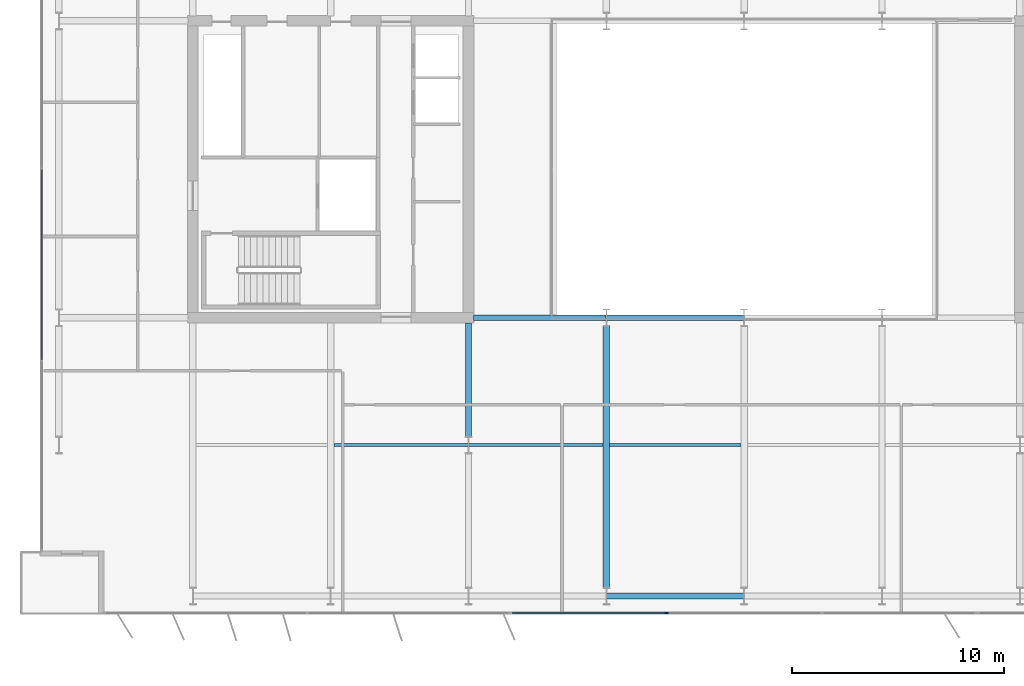
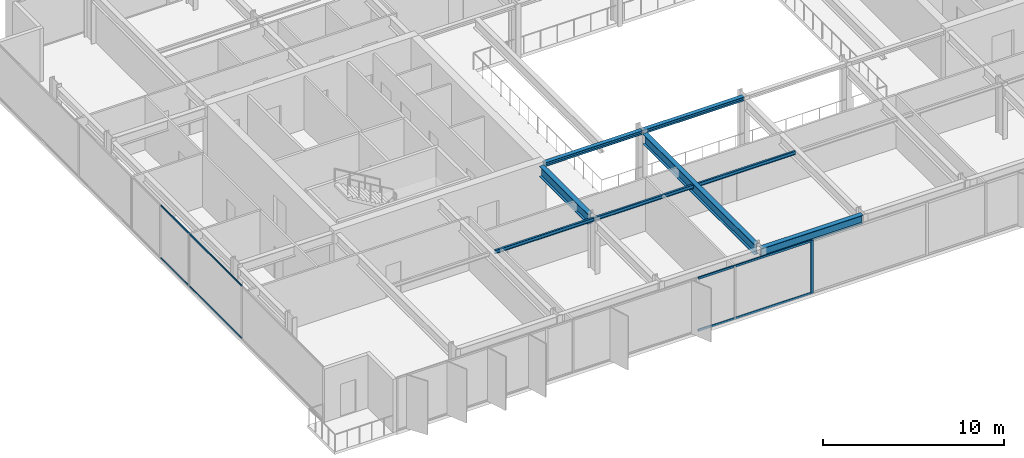
# One storey, part 4 of 23: 8 beams, 5 members, 2 elements without a shape of their own.
"""IFC4 building model written with IfcOpenShell, lengths in metres."""

from ifc_helpers import new_model, si_unit, direction, frame, origin, origin_2d, place, context, subcontext, project, spatial, rectangle, i_section, extrude, material, layer, layer_set, material_profile, profile_set, type_object, element, aggregate, save


model = new_model("IFC4")

# Units and contexts
model_context = context("Model", 3, precision=1e-05, world=origin(), true_north=direction((0.0, 1.0)))
body_context = subcontext(model_context, "Body", "Model", "MODEL_VIEW")
ifc_project = project(units=[si_unit("LENGTHUNIT", "METRE"), si_unit("AREAUNIT", "SQUARE_METRE"), si_unit("VOLUMEUNIT", "CUBIC_METRE"), si_unit("PLANEANGLEUNIT", "RADIAN"), si_unit("MASSUNIT", "GRAM", prefix="KILO")], contexts=[model_context])

# Site, building, storey
site_placement = place(None, origin())
site = spatial("IfcSite", under=ifc_project, at=site_placement, CompositionType="ELEMENT")
building_placement = place(site_placement, origin())
building = spatial("IfcBuilding", under=site, at=building_placement, Name="Putna Gate Headquarters", CompositionType="ELEMENT")
storey_placement = place(building_placement, frame((0.0, 0.0, 225.199951171875)))
storey = spatial("IfcBuildingStorey", under=building, at=storey_placement, Name="L56", CompositionType="ELEMENT", Elevation=225.199951171875)

# Beams
ifc_material_1 = material(Name="Steel S355J2", Category="steel")
ifc_material_profile_1 = material_profile(ifc_material_1, i_section(OverallWidth=0.260009765625, OverallDepth=0.260009765625, WebThickness=0.010009765625, FlangeThickness=0.017578125, at=origin_2d()), Name="Steel S355J2")
ifc_profile_set_1 = profile_set([ifc_material_profile_1], Name="Steel S355J2")
beam_type_1 = type_object("IfcBeamType", Name="BM-ATRIUM-HEB260", PredefinedType="BEAM", material=ifc_profile_set_1)
beam_1_placement = place(storey_placement, frame((26.235107421875, 19.0, 3.449951171875), z_axis=(1.0, 0.0, 0.0), x_axis=(0.0, 1.0, 0.0)))
element("IfcBeam", 1, at=beam_1_placement, inside=storey, type_object=beam_type_1, Name="L56 Atrium Edge Beam AS1", PredefinedType="BEAM", context=body_context, shape_type="SweptSolid", body=[
    extrude(i_section(OverallWidth=0.260009765625, OverallDepth=0.260009765625, WebThickness=0.010009765625, FlangeThickness=0.017578125, at=origin_2d()), origin(), (0.0, 0.0, 1.0), 6.2587890625),
])
beam_2_placement = place(storey_placement, frame((32.506103515625, 19.0, 3.449951171875), z_axis=(1.0, 0.0, 0.0), x_axis=(0.0, 1.0, 0.0)))
element("IfcBeam", 2, at=beam_2_placement, inside=storey, type_object=beam_type_1, Name="L56 Atrium Edge Beam AS2", PredefinedType="BEAM", context=body_context, shape_type="SweptSolid", body=[
    extrude(i_section(OverallWidth=0.260009765625, OverallDepth=0.260009765625, WebThickness=0.010009765625, FlangeThickness=0.017578125, at=origin_2d()), origin(), (0.0, 0.0, 1.0), 6.48779296875),
])
ifc_material_profile_2 = material_profile(ifc_material_1, i_section(OverallWidth=0.300048828125, OverallDepth=0.699951171875, WebThickness=0.01708984375, FlangeThickness=0.031982421875, at=origin_2d()), Name="Steel S355J2")
ifc_profile_set_2 = profile_set([ifc_material_profile_2], Name="Steel S355J2")
beam_type_2 = type_object("IfcBeamType", Name="BM-GIRD-B-HEB700", PredefinedType="USERDEFINED", material=ifc_profile_set_2)
beam_3_placement = place(storey_placement, frame((26.0, 13.39501953125, 3.22998046875), z_axis=(0.0, 1.0, 0.0), x_axis=(-1.0, 0.0, 0.0)))
element("IfcBeam", 3, at=beam_3_placement, inside=storey, type_object=beam_type_2, Name="L56 South Primary Girder X26-2", ObjectType="GIRDER", PredefinedType="USERDEFINED", context=body_context, shape_type="SweptSolid", body=[
    extrude(i_section(OverallWidth=0.300048828125, OverallDepth=0.699951171875, WebThickness=0.01708984375, FlangeThickness=0.031982421875, at=origin_2d()), origin(), (0.0, 0.0, 1.0), 5.369873046875),
])
beam_4_placement = place(storey_placement, frame((32.5, 6.27490234375, 3.22998046875), z_axis=(0.0, 1.0, 0.0), x_axis=(-1.0, 0.0, 0.0)))
element("IfcBeam", 4, at=beam_4_placement, inside=storey, type_object=beam_type_2, Name="L56 South Primary Girder X32", ObjectType="GIRDER", PredefinedType="USERDEFINED", context=body_context, shape_type="SweptSolid", body=[
    extrude(i_section(OverallWidth=0.300048828125, OverallDepth=0.699951171875, WebThickness=0.01708984375, FlangeThickness=0.031982421875, at=origin_2d()), origin(), (0.0, 0.0, 1.0), 12.330078125),
])
ifc_material_profile_3 = material_profile(ifc_material_1, i_section(OverallWidth=0.1201171875, OverallDepth=0.239990234375, WebThickness=0.006103515625, FlangeThickness=0.009765625, at=origin_2d()), Name="Steel S355J2")
ifc_profile_set_3 = profile_set([ifc_material_profile_3], Name="Steel S355J2")
beam_type_3 = type_object("IfcBeamType", Name="BM-SEC-Z4-IPE240", PredefinedType="JOIST", material=ifc_profile_set_3)
for number, where, z_axis, x_axis, name in (
    (5, (19.654052734375, 13.0, 3.4599609375), (1.0, 0.0, 0.0), (0.0, 1.0, 0.0), "L56 South Secondary Beam 2"),
    (6, (26.006103515625, 13.0, 3.4599609375), (1.0, 0.0, 0.0), (0.0, 1.0, 0.0), "L56 South Secondary Beam 3"),
):
    element("IfcBeam", number, at=place(storey_placement, frame(where, z_axis=z_axis, x_axis=x_axis)), inside=storey, type_object=beam_type_3, Name=name, PredefinedType="JOIST", context=body_context, shape_type="SweptSolid", body=[
        extrude(i_section(OverallWidth=0.1201171875, OverallDepth=0.239990234375, WebThickness=0.006103515625, FlangeThickness=0.009765625, at=origin_2d()), origin(), (0.0, 0.0, 1.0), 6.33984375),
    ])
beam_5_placement = place(storey_placement, frame((32.654052734375, 13.0, 3.4599609375), z_axis=(1.0, 0.0, 0.0), x_axis=(0.0, 1.0, 0.0)))
element("IfcBeam", 7, at=beam_5_placement, inside=storey, type_object=beam_type_3, Name="L56 South Secondary Beam 4", PredefinedType="JOIST", context=body_context, shape_type="SweptSolid", body=[
    extrude(i_section(OverallWidth=0.1201171875, OverallDepth=0.239990234375, WebThickness=0.006103515625, FlangeThickness=0.009765625, at=origin_2d()), origin(), (0.0, 0.0, 1.0), 6.19189453125),
])
ifc_material_profile_4 = material_profile(ifc_material_1, i_section(OverallWidth=0.300048828125, OverallDepth=0.590087890625, WebThickness=0.012939453125, FlangeThickness=0.02490234375, at=origin_2d()), Name="Steel S355J2")
ifc_profile_set_4 = profile_set([ifc_material_profile_4], Name="Steel S355J2")
beam_type_4 = type_object("IfcBeamType", Name="BM-SPAN-Z4-HEA600", PredefinedType="SPANDREL", material=ifc_profile_set_4)
beam_6_placement = place(storey_placement, frame((32.506103515625, 5.8798828125, 3.28515625), z_axis=(1.0, 0.0, 0.0), x_axis=(0.0, 1.0, 0.0)))
element("IfcBeam", 8, at=beam_6_placement, inside=storey, type_object=beam_type_4, Name="L56 S Perimeter Spandrel 4", PredefinedType="SPANDREL", context=body_context, shape_type="SweptSolid", body=[
    extrude(i_section(OverallWidth=0.300048828125, OverallDepth=0.590087890625, WebThickness=0.012939453125, FlangeThickness=0.02490234375, at=origin_2d()), origin(), (0.0, 0.0, 1.0), 6.48779296875),
])

# Curtain wall, member
ifc_material_2 = material(Name="Anodised bronze aluminium curtain wall", Category="aluminium")
ifc_layer_1 = layer(ifc_material_2, 0.179931640625)
ifc_layer_set_1 = layer_set([ifc_layer_1], Name="Anodised bronze aluminium curtain wall")
curtain_wall_type_1 = type_object("IfcCurtainWallType", Name="CW-SYS-ATR", PredefinedType="USERDEFINED", material=ifc_layer_set_1)
curtain_wall_1_placement = place(storey_placement, origin())
curtain_wall_1 = element("IfcCurtainWall", 9, at=curtain_wall_1_placement, inside=storey, type_object=curtain_wall_type_1, Name="L56 South Atrium Clear Glazing", ObjectType="ATRIUM GLAZING", PredefinedType="USERDEFINED")
ifc_material_3 = material(Name="Anodised bronze aluminium EN AW-6060", Category="aluminium")
ifc_material_profile_5 = material_profile(ifc_material_3, rectangle(XDim=0.070068359375, YDim=0.179931640625, at=origin_2d()), Name="Anodised bronze aluminium EN AW-6060")
ifc_profile_set_5 = profile_set([ifc_material_profile_5], Name="Anodised bronze aluminium EN AW-6060")
member_type_1 = type_object("IfcMemberType", Name="MULL-CWM-AT", PredefinedType="MULLION", material=ifc_profile_set_5)
member_1_placement = place(storey_placement, frame((35.333251953125, 5.080078125, 0.0), z_axis=(0.0, 0.0, 1.0), x_axis=(0.0, 1.0, 0.0)))
member_1 = element("IfcMember", 10, at=member_1_placement, type_object=member_type_1, Name="CWS-AT mullion 2", PredefinedType="MULLION", context=body_context, shape_type="SweptSolid", body=[
    extrude(rectangle(XDim=0.070068359375, YDim=0.179931640625, at=origin_2d()), origin(), (0.0, 0.0, 1.0), 3.580078125),
])

# Curtain wall, members
ifc_layer_2 = layer(ifc_material_2, 0.139892578125)
ifc_layer_set_2 = layer_set([ifc_layer_2], Name="Anodised bronze aluminium curtain wall")
curtain_wall_type_2 = type_object("IfcCurtainWallType", Name="CW-SYS-Z4", PredefinedType="USERDEFINED", material=ifc_layer_set_2)
curtain_wall_2_placement = place(storey_placement, origin())
curtain_wall_2 = element("IfcCurtainWall", 11, at=curtain_wall_2_placement, inside=storey, type_object=curtain_wall_type_2, Name="L56 West Curtain Wall", ObjectType="STICK CURTAIN WALL", PredefinedType="USERDEFINED")
ifc_material_profile_6 = material_profile(ifc_material_3, rectangle(XDim=0.06005859375, YDim=0.10009765625, at=origin_2d()), Name="Anodised bronze aluminium EN AW-6060")
ifc_profile_set_6 = profile_set([ifc_material_profile_6], Name="Anodised bronze aluminium EN AW-6060")
member_type_2 = type_object("IfcMemberType", Name="TRAN-CWT-4", PredefinedType="USERDEFINED", material=ifc_profile_set_6)
member_2_placement = place(storey_placement, frame((5.8798828125, 17.030029296875, 0.030029296875), z_axis=(0.0, 1.0, 0.0), x_axis=(-1.0, 0.0, 0.0)))
member_2 = element("IfcMember", 12, at=member_2_placement, type_object=member_type_2, Name="CWS-4 transom 2.1", ObjectType="TRANSOM", PredefinedType="USERDEFINED", context=body_context, shape_type="SweptSolid", body=[
    extrude(rectangle(XDim=0.06005859375, YDim=0.10009765625, at=origin_2d()), origin(), (0.0, 0.0, 1.0), 8.93994140625),
])
member_3_placement = place(storey_placement, frame((5.8798828125, 17.030029296875, 3.550048828125), z_axis=(0.0, 1.0, 0.0), x_axis=(-1.0, 0.0, 0.0)))
member_3 = element("IfcMember", 13, at=member_3_placement, type_object=member_type_2, Name="CWS-4 transom 2.2", ObjectType="TRANSOM", PredefinedType="USERDEFINED", context=body_context, shape_type="SweptSolid", body=[
    extrude(rectangle(XDim=0.06005859375, YDim=0.10009765625, at=origin_2d()), origin(), (0.0, 0.0, 1.0), 8.93994140625),
])
aggregate(curtain_wall_2, [member_2, member_3])

# Member
ifc_material_profile_7 = material_profile(ifc_material_3, rectangle(XDim=0.070068359375, YDim=0.139892578125, at=origin_2d()), Name="Anodised bronze aluminium EN AW-6060")
ifc_profile_set_7 = profile_set([ifc_material_profile_7], Name="Anodised bronze aluminium EN AW-6060")
member_type_3 = type_object("IfcMemberType", Name="TRAN-CWT-AT", PredefinedType="USERDEFINED", material=ifc_profile_set_7)
member_4_placement = place(storey_placement, frame((28.070068359375, 5.080078125, 0.03515625), z_axis=(1.0, 0.0, 0.0), x_axis=(0.0, 1.0, 0.0)))
member_4 = element("IfcMember", 14, at=member_4_placement, type_object=member_type_3, Name="CWS-AT transom 1.1", ObjectType="TRANSOM", PredefinedType="USERDEFINED", context=body_context, shape_type="SweptSolid", body=[
    extrude(rectangle(XDim=0.070068359375, YDim=0.139892578125, at=origin_2d()), origin(), (0.0, 0.0, 1.0), 7.228271484375),
])

member_5_placement = place(storey_placement, frame((28.070068359375, 5.080078125, 3.545166015625), z_axis=(1.0, 0.0, 0.0), x_axis=(0.0, 1.0, 0.0)))
member_5 = element("IfcMember", 15, at=member_5_placement, type_object=member_type_3, Name="CWS-AT transom 1.2", ObjectType="TRANSOM", PredefinedType="USERDEFINED", context=body_context, shape_type="SweptSolid", body=[
    extrude(rectangle(XDim=0.070068359375, YDim=0.139892578125, at=origin_2d()), origin(), (0.0, 0.0, 1.0), 7.228271484375),
])

aggregate(curtain_wall_1, [member_1, member_4, member_5])

save(model, "model.ifc")
